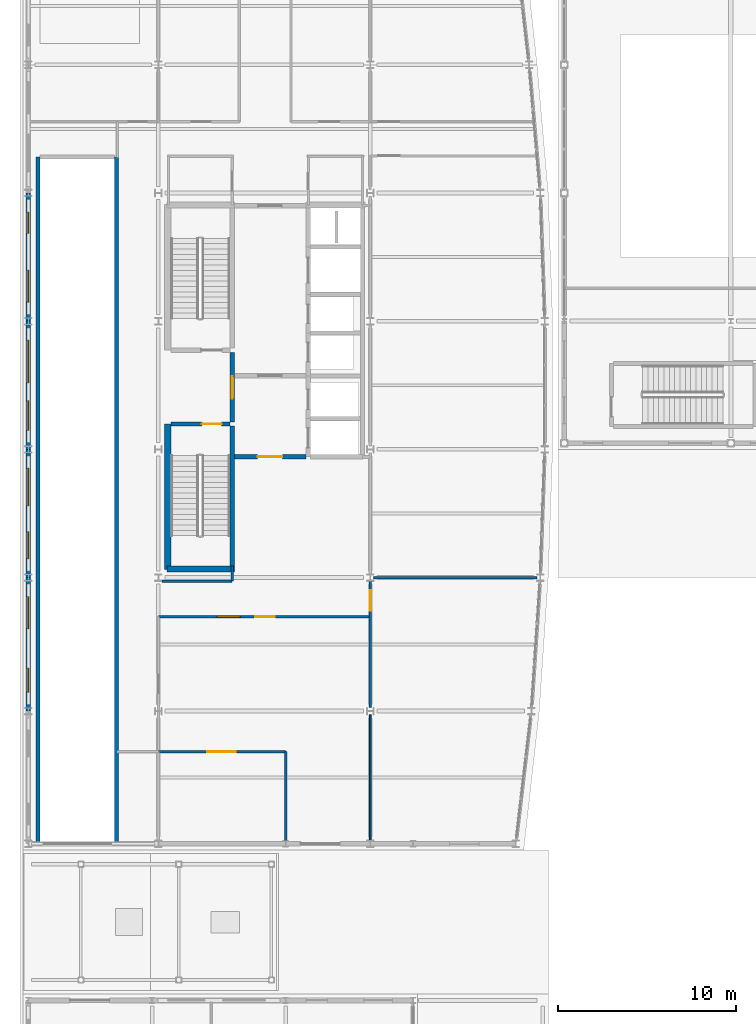
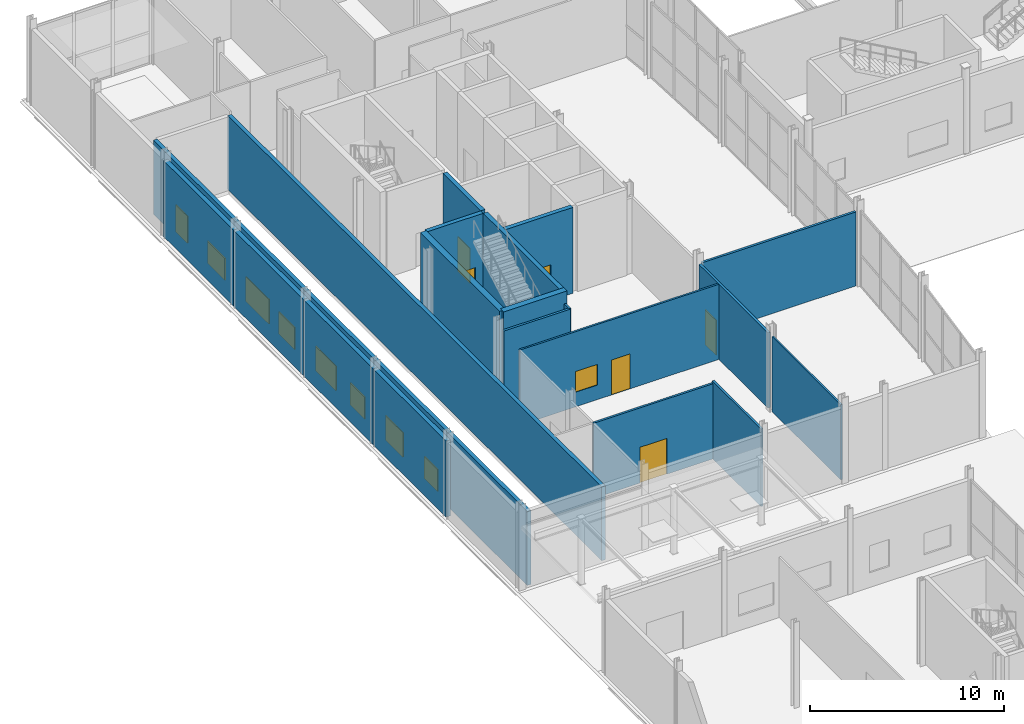
# One storey, part 65 of 83: 20 walls, 9 windows, 6 doors, 15 openings.
"""IFC4 building model written with IfcOpenShell, lengths in metres."""

import ifcopenshell
import ifcopenshell.guid

model = None  # the IFC model being written
_history = None  # IfcOwnerHistory: only IFC2X3 demands one
_inside = {}  # id of a spatial element -> (the spatial element, [elements in it])
_under = {}  # id of a project, library or spatial element -> (it, [spatial elements below it])
_declared = {}  # id of a project -> (the project, [libraries it declares])
_typed = {}  # id of a type object -> (the type object, [elements of that type])
_made_of = {}  # id of a material, layer set ... -> (it, [elements and type objects made of it])


def new_model(schema):
    """Start an empty IFC model of exactly this schema.

    Asked for "IFC4X3", IfcOpenShell would pick the latest addendum, in which some entities
    have other attributes; the version numbers below select the first issue.
    IFC2X3 requires an IfcOwnerHistory on every rooted entity: one is made here for all.
    """
    global model, _history
    if schema == "IFC4X3":
        model = ifcopenshell.file(schema_version=(4, 3, 0, 0))
    else:
        model = ifcopenshell.file(schema=schema)
    _inside.clear()
    _under.clear()
    _declared.clear()
    _typed.clear()
    _made_of.clear()
    _history = None
    if model.schema == "IFC2X3":
        org = make("IfcOrganization", Name="unknown")
        user = make(
            "IfcPersonAndOrganization",
            ThePerson=make("IfcPerson", FamilyName="unknown"),
            TheOrganization=org,
        )
        app = make(
            "IfcApplication",
            ApplicationDeveloper=org,
            Version="unknown",
            ApplicationFullName="unknown",
            ApplicationIdentifier="unknown",
        )
        _history = make(
            "IfcOwnerHistory",
            OwningUser=user,
            OwningApplication=app,
            ChangeAction="ADDED",
            CreationDate=0,
        )
    return model


def make(cls, **values):
    """One entity of the class cls with the attributes given. An attribute that is None is left unset."""
    return model.create_entity(
        cls, **{name: value for name, value in values.items() if value is not None}
    )


def rooted(cls, **values):
    """An entity with a GlobalId (a new one), such as an element, a storey or a relation."""
    return make(cls, GlobalId=ifcopenshell.guid.new(), OwnerHistory=_history, **values)


def si_unit(unit_type, name, prefix=None):
    """IfcSIUnit, for example si_unit("LENGTHUNIT", "METRE", prefix="MILLI")."""
    return make("IfcSIUnit", UnitType=unit_type, Prefix=prefix, Name=name)


def assignment(units):
    """IfcUnitAssignment: the units of a project."""
    return None if units is None else make("IfcUnitAssignment", Units=units)


def point(xyz):
    """IfcCartesianPoint."""
    return None if xyz is None else make("IfcCartesianPoint", Coordinates=xyz)


def direction(xyz):
    """IfcDirection."""
    return None if xyz is None else make("IfcDirection", DirectionRatios=xyz)


def frame(location, z_axis=None, x_axis=None):
    """IfcAxis2Placement3D, a coordinate frame: its origin and axes. An axis left out is left unset."""
    return make(
        "IfcAxis2Placement3D",
        Location=point(location),
        Axis=direction(z_axis),
        RefDirection=direction(x_axis),
    )


def frame_2d(location, x_axis=None):
    """IfcAxis2Placement2D, a coordinate frame in the plane: its origin and x axis."""
    return make(
        "IfcAxis2Placement2D", Location=point(location), RefDirection=direction(x_axis)
    )


def origin():
    """The frame at (0, 0, 0) with its axes left unset."""
    return frame((0.0, 0.0, 0.0))


def place(relative_to, where):
    """IfcLocalPlacement: puts the frame where relative to a parent placement (None: the world)."""
    return make(
        "IfcLocalPlacement", PlacementRelTo=relative_to, RelativePlacement=where
    )


def context(
    kind, dimensions, precision=None, world=None, true_north=None, identifier=None
):
    """IfcGeometricRepresentationContext, for example the 3D "Model" context."""
    return make(
        "IfcGeometricRepresentationContext",
        ContextIdentifier=identifier,
        ContextType=kind,
        CoordinateSpaceDimension=dimensions,
        Precision=precision,
        WorldCoordinateSystem=world,
        TrueNorth=true_north,
    )


def subcontext(parent, identifier, kind, view, scale=None):
    """IfcGeometricRepresentationSubContext, for example "Body" below "Model"."""
    return make(
        "IfcGeometricRepresentationSubContext",
        ContextIdentifier=identifier,
        ContextType=kind,
        ParentContext=parent,
        TargetScale=scale,
        TargetView=view,
    )


def project(units=None, contexts=None):
    """IfcProject with its units and contexts."""
    return rooted(
        "IfcProject",
        Name="project",
        RepresentationContexts=contexts,
        UnitsInContext=assignment(units),
    )


def spatial(cls, under=None, at=None, **own):
    """A site, building, storey or space (cls), placed at a placement, below another one or the project."""
    s = rooted(cls, ObjectPlacement=at, **own)
    if under is not None:
        _under.setdefault(under.id(), (under, []))[1].append(s)
    return s


def profile(cls, at=None, kind="AREA", **sizes):
    """A parametric profile (cls). Its sizes go by their IFC names, for example OverallWidth=200.0."""
    return make(cls, ProfileType=kind, Position=at, **sizes)


def rectangle(**sizes):
    """IfcRectangleProfileDef."""
    return profile("IfcRectangleProfileDef", **sizes)


def extrude(swept, where, along, depth):
    """IfcExtrudedAreaSolid: the profile swept, set in the frame where, extruded along a direction by depth."""
    return make(
        "IfcExtrudedAreaSolid",
        SweptArea=swept,
        Position=where,
        ExtrudedDirection=direction(along),
        Depth=depth,
    )


def shape(context_of_items, identifier, shape_type, items):
    """IfcShapeRepresentation: the items that make up one representation, for example the "Body"."""
    return make(
        "IfcShapeRepresentation",
        ContextOfItems=context_of_items,
        RepresentationIdentifier=identifier,
        RepresentationType=shape_type,
        Items=items,
    )


def material(Name=None, Category=None):
    """IfcMaterial."""
    return make("IfcMaterial", Name=Name, Category=Category)


def layer(
    of_material, thickness, ventilated=None, Name=None, Category=None, Priority=None
):
    """IfcMaterialLayer: one layer of a wall or slab, of a material (None: an air gap)."""
    return make(
        "IfcMaterialLayer",
        Material=of_material,
        LayerThickness=thickness,
        IsVentilated=ventilated,
        Name=Name,
        Category=Category,
        Priority=Priority,
    )


def layer_set(layers, Name=None):
    """IfcMaterialLayerSet."""
    return make("IfcMaterialLayerSet", MaterialLayers=layers, LayerSetName=Name)


def made_of(thing, what):
    """Note that an element or type object is made of a material, layer set ...; save() writes the relation."""
    if what is not None:
        _made_of.setdefault(what.id(), (what, []))[1].append(thing)
    return thing


def type_object(cls, material=None, **own):
    """A type object (cls), such as IfcWallType, which elements share."""
    return made_of(rooted(cls, **own), material)


def element(
    cls,
    number,
    at=None,
    inside=None,
    cuts=None,
    type_object=None,
    material=None,
    context=None,
    identifier="Body",
    shape_type=None,
    held_by="IfcProductDefinitionShape",
    body=None,
    shapes=None,
    **own,
):
    """One element of the class cls, such as IfcWall. Its Tag is "e" and its number.

    at: its placement. inside: the storey or other place that contains it. cuts: it is an
    opening in that element (IfcRelVoidsElement). A single representation is given by context,
    identifier, shape_type and body (its items); several are given by shapes. held_by: the class
    of the entity that holds the representations. save() writes the other relations.
    """
    e = rooted(cls, Tag="e%d" % number, ObjectPlacement=at, **own)
    if body is not None:
        shapes = [shape(context, identifier, shape_type, body)]
    if shapes is not None:
        e.Representation = make(held_by, Representations=shapes)
    if inside is not None:
        _inside.setdefault(inside.id(), (inside, []))[1].append(e)
    if cuts is not None:
        rooted(
            "IfcRelVoidsElement", RelatingBuildingElement=cuts, RelatedOpeningElement=e
        )
    if type_object is not None:
        _typed.setdefault(type_object.id(), (type_object, []))[1].append(e)
    return made_of(e, material)


def fill(opening, filler):
    """IfcRelFillsElement: the door or window that sits in an opening."""
    return rooted(
        "IfcRelFillsElement",
        RelatingOpeningElement=opening,
        RelatedBuildingElement=filler,
    )


def aggregate(whole, parts):
    """IfcRelAggregates: a whole, such as a stair, and the parts it consists of."""
    return rooted("IfcRelAggregates", RelatingObject=whole, RelatedObjects=parts)


def save(model, path):
    """Write the relations noted so far, then the file.

    IfcRelAggregates (storeys below a building ...), IfcRelContainedInSpatialStructure (elements
    in a storey), IfcRelDefinesByType, IfcRelAssociatesMaterial and IfcRelDeclares: one each for
    every whole, place, type object, material and project.
    """
    for whole, parts in _under.values():
        aggregate(whole, parts)
    for where, things in _inside.values():
        rooted(
            "IfcRelContainedInSpatialStructure",
            RelatedElements=things,
            RelatingStructure=where,
        )
    for kind, things in _typed.values():
        rooted("IfcRelDefinesByType", RelatedObjects=things, RelatingType=kind)
    for what, things in _made_of.values():
        rooted("IfcRelAssociatesMaterial", RelatedObjects=things, RelatingMaterial=what)
    for by, libraries in _declared.values():
        rooted("IfcRelDeclares", RelatingContext=by, RelatedDefinitions=libraries)
    model.write(path)


model = new_model("IFC4")

# Units and contexts
model_context = context("Model", 3, precision=1e-05, world=origin(), true_north=direction((0.0, 1.0)))
body_context = subcontext(model_context, "Body", "Model", "MODEL_VIEW")
ifc_project = project(units=[si_unit("LENGTHUNIT", "METRE"), si_unit("AREAUNIT", "SQUARE_METRE"), si_unit("VOLUMEUNIT", "CUBIC_METRE"), si_unit("PLANEANGLEUNIT", "RADIAN"), si_unit("MASSUNIT", "GRAM", prefix="KILO")], contexts=[model_context])

# Site, building, storey
site_placement = place(None, origin())
site = spatial("IfcSite", under=ifc_project, at=site_placement, CompositionType="ELEMENT")
building_placement = place(site_placement, origin())
building = spatial("IfcBuilding", under=site, at=building_placement, Name="Quillay Park Conservatory", CompositionType="ELEMENT")
storey_placement = place(building_placement, origin())
storey = spatial("IfcBuildingStorey", under=building, at=storey_placement, Name="L00", CompositionType="ELEMENT", Elevation=0.0)

# Wall
ifc_material_1 = material(Name="Steel-Stud Acoustic Gypsum Board Partition", Category="steel")
ifc_layer_1 = layer(ifc_material_1, 0.10009765625)
ifc_layer_set_1 = layer_set([ifc_layer_1], Name="ACOUSTIC GYPSUM PARTITION 100 (Steel-Stud Acoustic Gypsum Board Partition)")
wall_type_1 = type_object("IfcWallType", Name="ACOUSTIC GYPSUM PARTITION 100", PredefinedType="PARTITIONING", material=ifc_layer_set_1)
wall_1_placement = place(storey_placement, frame((19.75, 63.241455078125, 0.0), z_axis=(0.0, 0.0, 1.0), x_axis=(0.0, 1.0, 0.0)))
element("IfcWall", 1, at=wall_1_placement, inside=storey, type_object=wall_type_1, Name="L00 SE Lab West Wall S", PredefinedType="PARTITIONING", context=body_context, shape_type="SweptSolid", body=[
    extrude(rectangle(XDim=7.06396484375, YDim=0.10009765625, at=frame_2d((3.531982421875, 0.0))), origin(), (0.0, 0.0, 1.0), 4.72705078125),
])

# Wall, openings, window, door
ifc_material_2 = material(Name="Steel-Stud Acoustic Gypsum Board Partition", Category="steel")
ifc_layer_2 = layer(ifc_material_2, 0.114990234375)
ifc_layer_set_2 = layer_set([ifc_layer_2], Name="ACOUSTIC GYPSUM PARTITION 115 (Steel-Stud Acoustic Gypsum Board Partition)")
wall_type_2 = type_object("IfcWallType", Name="ACOUSTIC GYPSUM PARTITION 115", PredefinedType="PARTITIONING", material=ifc_layer_set_2)
wall_2_placement = place(storey_placement, frame((19.75, 75.800048828125, 0.0), z_axis=(0.0, 0.0, 1.0), x_axis=(-1.0, 0.0, 0.0)))
wall_2 = element("IfcWall", 2, at=wall_2_placement, inside=storey, type_object=wall_type_2, Name="L00 Reception North Door Wall", PredefinedType="PARTITIONING", context=body_context, shape_type="SweptSolid", body=[
    extrude(rectangle(XDim=11.89990234375, YDim=0.114990234375, at=frame_2d((5.949951171875, 0.0))), origin(), (0.0, 0.0, 1.0), 4.72705078125),
])
opening_1_placement = place(wall_2_placement, frame((5.35009765625, 0.0, 0.0)))
opening_1 = element("IfcOpeningElement", 3, at=opening_1_placement, cuts=wall_2, Name="Opening D-RM16", PredefinedType="OPENING", context=body_context, shape_type="SweptSolid", body=[
    extrude(rectangle(XDim=1.10009765625, YDim=2.199951171875, at=frame_2d((0.550048828125, 1.10009765625))), frame((0.0, 0.0576171875, 0.0), z_axis=(0.0, -1.0, 0.0), x_axis=(1.0, 0.0, 0.0)), (0.0, 0.0, 1.0), 0.114990234375),
])
opening_2_placement = place(wall_2_placement, frame((7.300048828125, 0.0, 0.919921875)))
opening_2 = element("IfcOpeningElement", 4, at=opening_2_placement, cuts=wall_2, Name="Opening W-IN11", PredefinedType="OPENING", context=body_context, shape_type="SweptSolid", body=[
    extrude(rectangle(XDim=1.300048828125, YDim=1.300048828125, at=frame_2d((0.64990234375, 0.64990234375))), frame((0.0, 0.0576171875, 0.0), z_axis=(0.0, -1.0, 0.0), x_axis=(1.0, 0.0, 0.0)), (0.0, 0.0, 1.0), 0.114990234375),
])
ifc_material_3 = material(Name="Low-E Double Glazing (Laminated Tempered)", Category="glass")
window_type_1 = type_object("IfcWindowType", Name="OPERABLE VENT WINDOW 1300 X1300", PartitioningType="SINGLE_PANEL", PredefinedType="WINDOW", material=ifc_material_3)
window_1_placement = place(opening_2_placement, origin())
window_1 = element("IfcWindow", 5, at=window_1_placement, inside=storey, type_object=window_type_1, Name="L00 Laboratory Vision Panel 011", OverallHeight=1.300048828125, OverallWidth=1.300048828125, PartitioningType="SINGLE_PANEL", PredefinedType="WINDOW", context=body_context, shape_type="SweptSolid", body=[
    extrude(rectangle(XDim=1.300048828125, YDim=1.300048828125, at=frame_2d((0.64990234375, 0.64990234375))), frame((0.0, 0.030029296875, 0.0), z_axis=(0.0, -1.0, 0.0), x_axis=(1.0, 0.0, 0.0)), (0.0, 0.0, 1.0), 0.06005859375),
])
fill(opening_2, window_1)
ifc_material_4 = material(Name="Thermally Broken Anodised Aluminium 6063-T6", Category="aluminium")
door_type_1 = type_object("IfcDoorType", Name="SINGLE SWING DOOR 1100 X2200", OperationType="NOTDEFINED", PredefinedType="DOOR", material=ifc_material_4)
door_1_placement = place(opening_1_placement, origin())
door_1 = element("IfcDoor", 6, at=door_1_placement, inside=storey, type_object=door_type_1, Name="L00 Door to Research Tower Entrance Hall North", OperationType="SINGLE_SWING_RIGHT", OverallHeight=2.199951171875, OverallWidth=1.10009765625, PredefinedType="DOOR", context=body_context, shape_type="SweptSolid", body=[
    extrude(rectangle(XDim=1.10009765625, YDim=2.199951171875, at=frame_2d((0.550048828125, 1.10009765625))), frame((0.0, 0.02490234375, 0.0), z_axis=(0.0, -1.0, 0.0), x_axis=(1.0, 0.0, 0.0)), (0.0, 0.0, 1.0), 0.050048828125),
])
fill(opening_1, door_1)

# Wall, opening, door
ifc_material_5 = material(Name="Steel-Stud Acoustic Gypsum Board Partition", Category="steel")
ifc_layer_3 = layer(ifc_material_5, 0.125)
ifc_layer_set_3 = layer_set([ifc_layer_3], Name="ACOUSTIC GYPSUM PARTITION 125 (Steel-Stud Acoustic Gypsum Board Partition)")
wall_type_3 = type_object("IfcWallType", Name="ACOUSTIC GYPSUM PARTITION 125", PredefinedType="PARTITIONING", material=ifc_layer_set_3)
wall_3_placement = place(storey_placement, frame((7.85009765625, 68.219970703125, 0.0), z_axis=(0.0, 0.0, 1.0), x_axis=(1.0, 0.0, 0.0)))
wall_3 = element("IfcWall", 7, at=wall_3_placement, inside=storey, type_object=wall_type_3, Name="L00 Fire Command Centre North Door Wall", PredefinedType="PARTITIONING", context=body_context, shape_type="SweptSolid", body=[
    extrude(rectangle(XDim=7.14990234375, YDim=0.125, at=frame_2d((3.574951171875, 0.0))), origin(), (0.0, 0.0, 1.0), 4.72705078125),
])
opening_3_placement = place(wall_3_placement, frame((2.75, 0.0, 0.0)))
opening_3 = element("IfcOpeningElement", 8, at=opening_3_placement, cuts=wall_3, Name="Opening D-PL02", PredefinedType="OPENING", context=body_context, shape_type="SweptSolid", body=[
    extrude(rectangle(XDim=1.60009765625, YDim=2.25, at=frame_2d((0.800048828125, 1.125))), frame((0.0, 0.0625, 0.0), z_axis=(0.0, -1.0, 0.0), x_axis=(1.0, 0.0, 0.0)), (0.0, 0.0, 1.0), 0.125),
])
ifc_material_6 = material(Name="Steel ASTM A572 Grade 50", Category="steel")
door_type_2 = type_object("IfcDoorType", Name="FIRE RATED PLANT DOOR 1600 X2250", OperationType="NOTDEFINED", PredefinedType="DOOR", material=ifc_material_6)
door_2_placement = place(opening_3_placement, origin())
door_2 = element("IfcDoor", 9, at=door_2_placement, inside=storey, type_object=door_type_2, Name="L00 Door to L00 Fire Command and Control Room", OperationType="SINGLE_SWING_RIGHT", OverallHeight=2.25, OverallWidth=1.60009765625, PredefinedType="DOOR", context=body_context, shape_type="SweptSolid", body=[
    extrude(rectangle(XDim=1.60009765625, YDim=2.25, at=frame_2d((0.800048828125, 1.125))), frame((0.0, 0.02490234375, 0.0), z_axis=(0.0, -1.0, 0.0), x_axis=(1.0, 0.0, 0.0)), (0.0, 0.0, 1.0), 0.050048828125),
])
fill(opening_3, door_2)

# Walls
ifc_material_7 = material(Name="Steel-Stud Acoustic Gypsum Board Partition", Category="steel")
ifc_layer_4 = layer(ifc_material_7, 0.1298828125)
ifc_layer_set_4 = layer_set([ifc_layer_4], Name="ACOUSTIC GYPSUM PARTITION 130 (Steel-Stud Acoustic Gypsum Board Partition)")
wall_type_4 = type_object("IfcWallType", Name="ACOUSTIC GYPSUM PARTITION 130", PredefinedType="PARTITIONING", material=ifc_layer_set_4)
wall_4_placement = place(storey_placement, frame((12.0, 77.800048828125, 0.0), z_axis=(0.0, 0.0, 1.0), x_axis=(0.0, 1.0, 0.0)))
element("IfcWall", 10, at=wall_4_placement, inside=storey, type_object=wall_type_4, Name="L00 Core South Vestibule West Wall", PredefinedType="PARTITIONING", context=body_context, shape_type="SweptSolid", body=[
    extrude(rectangle(XDim=0.849853515625, YDim=0.1298828125, at=frame_2d((0.4248046875, 0.0))), origin(), (0.0, 0.0, 1.0), 4.65087890625),
])
wall_5_placement = place(storey_placement, frame((15.0, 63.20654296875, 0.0), z_axis=(0.0, 0.0, 1.0), x_axis=(0.0, 1.0, 0.0)))
element("IfcWall", 11, at=wall_5_placement, inside=storey, type_object=wall_type_4, Name="L00 Fire Command Centre East Wall", PredefinedType="PARTITIONING", context=body_context, shape_type="SweptSolid", body=[
    extrude(rectangle(XDim=5.013427734375, YDim=0.1298828125, at=frame_2d((2.5068359375, 0.0))), origin(), (0.0, 0.0, 1.0), 4.876953125),
])
ifc_material_8 = material(Name="Steel-Stud Acoustic Gypsum Board Partition", Category="steel")
ifc_layer_5 = layer(ifc_material_8, 0.139892578125)
ifc_layer_set_5 = layer_set([ifc_layer_5], Name="ACOUSTIC GYPSUM PARTITION 140 (Steel-Stud Acoustic Gypsum Board Partition)")
wall_type_5 = type_object("IfcWallType", Name="ACOUSTIC GYPSUM PARTITION 140", PredefinedType="PARTITIONING", material=ifc_layer_set_5)
wall_6_placement = place(storey_placement, frame((8.04443359375, 77.800048828125, 0.0), z_axis=(0.0, 0.0, 1.0), x_axis=(1.0, 0.0, 0.0)))
element("IfcWall", 12, at=wall_6_placement, inside=storey, type_object=wall_type_5, Name="L00 Core South-West Return", PredefinedType="PARTITIONING", context=body_context, shape_type="SweptSolid", body=[
    extrude(rectangle(XDim=3.95556640625, YDim=0.139892578125, at=frame_2d((1.977783203125, 0.0))), origin(), (0.0, 0.0, 1.0), 4.65087890625),
])
wall_7_placement = place(storey_placement, frame((19.944580078125, 78.0, 0.0), z_axis=(0.0, 0.0, 1.0), x_axis=(1.0, 0.0, 0.0)))
element("IfcWall", 13, at=wall_7_placement, inside=storey, type_object=wall_type_5, Name="L00 SE-East Lab Divider", PredefinedType="PARTITIONING", context=body_context, shape_type="SweptSolid", body=[
    extrude(rectangle(XDim=9.160888671875, YDim=0.139892578125, at=frame_2d((4.58056640625, 0.0))), origin(), (0.0, 0.0, 1.0), 4.65087890625),
])

# Wall, opening, door
ifc_material_9 = material(Name="Steel-Stud Acoustic Gypsum Board Partition", Category="steel")
ifc_layer_6 = layer(ifc_material_9, 0.14990234375)
ifc_layer_set_6 = layer_set([ifc_layer_6], Name="ACOUSTIC GYPSUM PARTITION 150 (Steel-Stud Acoustic Gypsum Board Partition)")
wall_type_6 = type_object("IfcWallType", Name="ACOUSTIC GYPSUM PARTITION 150", PredefinedType="PARTITIONING", material=ifc_layer_set_6)
wall_8_placement = place(storey_placement, frame((19.75, 70.694580078125, 0.0), z_axis=(0.0, 0.0, 1.0), x_axis=(0.0, 1.0, 0.0)))
wall_8 = element("IfcWall", 14, at=wall_8_placement, inside=storey, type_object=wall_type_6, Name="L00 SE Lab West Door Wall", PredefinedType="PARTITIONING", context=body_context, shape_type="SweptSolid", body=[
    extrude(rectangle(XDim=7.114013671875, YDim=0.14990234375, at=frame_2d((3.55712890625, 0.0))), origin(), (0.0, 0.0, 1.0), 4.72705078125),
])
opening_4_placement = place(wall_8_placement, frame((5.430419921875, 0.0, 0.0)))
opening_4 = element("IfcOpeningElement", 15, at=opening_4_placement, cuts=wall_8, Name="Opening D-RM17", PredefinedType="OPENING", context=body_context, shape_type="SweptSolid", body=[
    extrude(rectangle(XDim=1.14990234375, YDim=2.199951171875, at=frame_2d((0.574951171875, 1.10009765625))), frame((0.0, 0.074951171875, 0.0), z_axis=(0.0, -1.0, 0.0), x_axis=(1.0, 0.0, 0.0)), (0.0, 0.0, 1.0), 0.14990234375),
])
ifc_material_10 = material(Name="Thermally Broken Anodised Aluminium 6063-T6", Category="aluminium")
door_type_3 = type_object("IfcDoorType", Name="SINGLE SWING DOOR 1150 X2200", OperationType="NOTDEFINED", PredefinedType="DOOR", material=ifc_material_10)
door_3_placement = place(opening_4_placement, origin())
door_3 = element("IfcDoor", 16, at=door_3_placement, inside=storey, type_object=door_type_3, Name="L00 Door to L00 Seed Triage and Barcoding Studio", OperationType="SINGLE_SWING_LEFT", OverallHeight=2.199951171875, OverallWidth=1.14990234375, PredefinedType="DOOR", context=body_context, shape_type="SweptSolid", body=[
    extrude(rectangle(XDim=1.14990234375, YDim=2.199951171875, at=frame_2d((0.574951171875, 1.10009765625))), frame((0.0, 0.02490234375, 0.0), z_axis=(0.0, -1.0, 0.0), x_axis=(1.0, 0.0, 0.0)), (0.0, 0.0, 1.0), 0.050048828125),
])
fill(opening_4, door_3)

# Walls
ifc_material_11 = material(Name="Concrete C35/45 (NCh170 Concrete C35/45)", Category="concrete")
ifc_layer_7 = layer(ifc_material_11, 0.22509765625)
ifc_layer_set_7 = layer_set([ifc_layer_7], Name="CORE SHEAR WALL 225 (Concrete C35/45 (NCh170 Concrete C35/45))")
wall_type_7 = type_object("IfcWallType", Name="CORE SHEAR WALL 225", PredefinedType="SHEAR", material=ifc_layer_set_7)
for number, where, z_axis, x_axis, name in (
    (17, (1.08740234375, 63.10009765625, 0.0), (0.0, 0.0, 1.0), (0.0, 1.0, 0.0), "L00 Core Shear Wall WL-RMP1-W"),
    (18, (5.512451171875, 63.10009765625, 0.0), (0.0, 0.0, 1.0), (0.0, 1.0, 0.0), "L00 Core Shear Wall WL-RMP1-E"),
):
    element("IfcWall", number, at=place(storey_placement, frame(where, z_axis=z_axis, x_axis=x_axis)), inside=storey, type_object=wall_type_7, Name=name, PredefinedType="SHEAR", context=body_context, shape_type="SweptSolid", body=[
        extrude(rectangle(XDim=38.512451171875, YDim=0.22509765625, at=frame_2d((19.25634765625, 0.0))), origin(), (0.0, 0.0, 1.0), 4.64990234375),
    ])
ifc_material_12 = material(Name="Concrete C40/50 (NCh170 Concrete C40/50)", Category="concrete")
ifc_layer_8 = layer(ifc_material_12, 0.25)
ifc_layer_set_8 = layer_set([ifc_layer_8], Name="CORE SHEAR WALL 250 (Concrete C40/50 (NCh170 Concrete C40/50))")
wall_type_8 = type_object("IfcWallType", Name="CORE SHEAR WALL 250", PredefinedType="SHEAR", material=ifc_layer_set_8)
wall_9_placement = place(storey_placement, frame((11.9951171875, 78.64990234375, 0.0), z_axis=(0.0, 0.0, 1.0), x_axis=(0.0, 1.0, 0.0)))
element("IfcWall", 19, at=wall_9_placement, inside=storey, type_object=wall_type_8, Name="L00 Core Shear Wall WL-T2E-L00", PredefinedType="SHEAR", context=body_context, shape_type="SweptSolid", body=[
    extrude(rectangle(XDim=7.85009765625, YDim=0.25, at=frame_2d((3.925048828125, 0.0))), origin(), (0.0, 0.0, 1.0), 5.39990234375),
])

# Wall, opening, door
wall_10_placement = place(storey_placement, frame((11.9951171875, 86.75, 0.0), z_axis=(0.0, 0.0, 1.0), x_axis=(0.0, 1.0, 0.0)))
wall_10 = element("IfcWall", 20, at=wall_10_placement, inside=storey, type_object=wall_type_8, Name="L00 Core Shear Wall WL-FFW-L00", PredefinedType="SHEAR", context=body_context, shape_type="SweptSolid", body=[
    extrude(rectangle(XDim=3.89990234375, YDim=0.25, at=frame_2d((1.949951171875, 0.0))), origin(), (0.0, 0.0, 1.0), 5.39990234375),
])
opening_5_placement = place(wall_10_placement, frame((1.300048828125, 0.0, 0.0)))
opening_5 = element("IfcOpeningElement", 21, at=opening_5_placement, cuts=wall_10, Name="Opening D-LB01", PredefinedType="OPENING", context=body_context, shape_type="SweptSolid", body=[
    extrude(rectangle(XDim=1.25, YDim=2.199951171875, at=frame_2d((0.625, 1.10009765625))), frame((0.0, 0.125, 0.0), z_axis=(0.0, -1.0, 0.0), x_axis=(1.0, 0.0, 0.0)), (0.0, 0.0, 1.0), 0.25),
])
ifc_material_13 = material(Name="Steel ASTM A572 Grade 50", Category="steel")
door_type_4 = type_object("IfcDoorType", Name="FIRE RATED LOBBY DOOR 1250 X2200", OperationType="NOTDEFINED", PredefinedType="DOOR", material=ifc_material_13)
door_4_placement = place(opening_5_placement, origin())
door_4 = element("IfcDoor", 22, at=door_4_placement, inside=storey, type_object=door_type_4, Name="L00 Firefighting Lobby Corridor Door", OperationType="SINGLE_SWING_LEFT", OverallHeight=2.199951171875, OverallWidth=1.25, PredefinedType="DOOR", context=body_context, shape_type="SweptSolid", body=[
    extrude(rectangle(XDim=1.25, YDim=2.199951171875, at=frame_2d((0.625, 1.10009765625))), frame((0.0, 0.02490234375, 0.0), z_axis=(0.0, -1.0, 0.0), x_axis=(1.0, 0.0, 0.0)), (0.0, 0.0, 1.0), 0.050048828125),
])
fill(opening_5, door_4)

wall_11_placement = place(storey_placement, frame((8.550048828125, 86.625, 0.0), z_axis=(0.0, 0.0, 1.0), x_axis=(1.0, 0.0, 0.0)))
wall_11 = element("IfcWall", 23, at=wall_11_placement, inside=storey, type_object=wall_type_8, Name="L00 Core Shear Wall WL-ST2D-L00", PredefinedType="SHEAR", context=body_context, shape_type="SweptSolid", body=[
    extrude(rectangle(XDim=3.320068359375, YDim=0.25, at=frame_2d((1.66015625, 0.0))), origin(), (0.0, 0.0, 1.0), 5.39990234375),
])
opening_6_placement = place(wall_11_placement, frame((1.75, 0.0, 0.0)))
opening_6 = element("IfcOpeningElement", 24, at=opening_6_placement, cuts=wall_11, Name="Opening D-ST01", PredefinedType="OPENING", context=body_context, shape_type="SweptSolid", body=[
    extrude(rectangle(XDim=1.10009765625, YDim=2.14990234375, at=frame_2d((0.550048828125, 1.074951171875))), frame((0.0, 0.125, 0.0), z_axis=(0.0, -1.0, 0.0), x_axis=(1.0, 0.0, 0.0)), (0.0, 0.0, 1.0), 0.25),
])
ifc_material_14 = material(Name="Steel ASTM A572 Grade 50", Category="steel")
door_type_5 = type_object("IfcDoorType", Name="FIRE RATED STAIR DOOR 1100 X2150", OperationType="NOTDEFINED", PredefinedType="DOOR", material=ifc_material_14)
door_5_placement = place(opening_6_placement, origin())
door_5 = element("IfcDoor", 25, at=door_5_placement, inside=storey, type_object=door_type_5, Name="L00 Protected Stair ST-T2 Door", OperationType="SINGLE_SWING_LEFT", OverallHeight=2.14990234375, OverallWidth=1.10009765625, PredefinedType="DOOR", context=body_context, shape_type="SweptSolid", body=[
    extrude(rectangle(XDim=1.10009765625, YDim=2.14990234375, at=frame_2d((0.550048828125, 1.074951171875))), frame((0.0, 0.02490234375, 0.0), z_axis=(0.0, -1.0, 0.0), x_axis=(1.0, 0.0, 0.0)), (0.0, 0.0, 1.0), 0.050048828125),
])
fill(opening_6, door_5)

wall_12_placement = place(storey_placement, frame((12.1201171875, 84.77490234375, 0.0), z_axis=(0.0, 0.0, 1.0), x_axis=(1.0, 0.0, 0.0)))
wall_12 = element("IfcWall", 26, at=wall_12_placement, inside=storey, type_object=wall_type_8, Name="L00 Core Shear Wall WL-FFS-L00", PredefinedType="SHEAR", context=body_context, shape_type="SweptSolid", body=[
    extrude(rectangle(XDim=4.02978515625, YDim=0.25, at=frame_2d((2.014892578125, 0.0))), origin(), (0.0, 0.0, 1.0), 5.39990234375),
])
opening_7_placement = place(wall_12_placement, frame((1.300048828125, 0.0, 0.0)))
opening_7 = element("IfcOpeningElement", 27, at=opening_7_placement, cuts=wall_12, Name="Opening D-LB03", PredefinedType="OPENING", context=body_context, shape_type="SweptSolid", body=[
    extrude(rectangle(XDim=1.39990234375, YDim=2.25, at=frame_2d((0.699951171875, 1.125))), frame((0.0, 0.125, 0.0), z_axis=(0.0, -1.0, 0.0), x_axis=(1.0, 0.0, 0.0)), (0.0, 0.0, 1.0), 0.25),
])
ifc_material_15 = material(Name="Steel ASTM A572 Grade 50", Category="steel")
door_type_6 = type_object("IfcDoorType", Name="FIRE RATED LOBBY DOOR 1400 X2250", OperationType="NOTDEFINED", PredefinedType="DOOR", material=ifc_material_15)
door_6_placement = place(opening_7_placement, origin())
door_6 = element("IfcDoor", 28, at=door_6_placement, inside=storey, type_object=door_type_6, Name="L00 South Core Lobby Door", OperationType="SINGLE_SWING_RIGHT", OverallHeight=2.25, OverallWidth=1.39990234375, PredefinedType="DOOR", context=body_context, shape_type="SweptSolid", body=[
    extrude(rectangle(XDim=1.39990234375, YDim=2.25, at=frame_2d((0.699951171875, 1.125))), frame((0.0, 0.02490234375, 0.0), z_axis=(0.0, -1.0, 0.0), x_axis=(1.0, 0.0, 0.0)), (0.0, 0.0, 1.0), 0.050048828125),
])
fill(opening_7, door_6)

# Walls
ifc_material_16 = material(Name="Concrete C40/50 (NCh170 Concrete C40/50)", Category="concrete")
ifc_layer_9 = layer(ifc_material_16, 0.35009765625)
ifc_layer_set_9 = layer_set([ifc_layer_9], Name="CORE SHEAR WALL 350 (Concrete C40/50 (NCh170 Concrete C40/50))")
wall_type_9 = type_object("IfcWallType", Name="CORE SHEAR WALL 350", PredefinedType="SHEAR", material=ifc_layer_set_9)
wall_13_placement = place(storey_placement, frame((8.375, 78.449951171875, 0.0), z_axis=(0.0, 0.0, 1.0), x_axis=(0.0, 1.0, 0.0)))
element("IfcWall", 29, at=wall_13_placement, inside=storey, type_object=wall_type_9, Name="L00 Core Shear Wall WL-TCW-S-L00", PredefinedType="SHEAR", context=body_context, shape_type="SweptSolid", body=[
    extrude(rectangle(XDim=8.175048828125, YDim=0.35009765625, at=frame_2d((4.08740234375, 0.0))), origin(), (0.0, 0.0, 1.0), 5.39990234375),
])
wall_14_placement = place(storey_placement, frame((8.35009765625, 78.47509765625, 0.0), z_axis=(0.0, 0.0, 1.0), x_axis=(1.0, 0.0, 0.0)))
element("IfcWall", 30, at=wall_14_placement, inside=storey, type_object=wall_type_9, Name="L00 Core Shear Wall WL-TCS-L00", PredefinedType="SHEAR", context=body_context, shape_type="SweptSolid", body=[
    extrude(rectangle(XDim=3.77001953125, YDim=0.35009765625, at=frame_2d((1.885009765625, 0.0))), origin(), (0.0, 0.0, 1.0), 5.39990234375),
])

# Wall, openings, windows
ifc_material_17 = material(Name="Glass-Fibre Reinforced Concrete (GRC) Cladding", Category="concrete")
ifc_layer_10 = layer(ifc_material_17, 0.260009765625)
ifc_layer_set_10 = layer_set([ifc_layer_10], Name="EXTERIOR SOLID WALL 260 (Glass-Fibre Reinforced Concrete (GRC) Cladding)")
wall_type_10 = type_object("IfcWallType", Name="EXTERIOR SOLID WALL 260", PredefinedType="SOLIDWALL", material=ifc_layer_set_10)
wall_15_placement = place(storey_placement, frame((0.550048828125, 70.5, 0.0), z_axis=(0.0, 0.0, 1.0), x_axis=(0.0, 1.0, 0.0)))
wall_15 = element("IfcWall", 31, at=wall_15_placement, inside=storey, type_object=wall_type_10, Name="L00 External Wall WL-EXT-V4W-L00-1", PredefinedType="SOLIDWALL", context=body_context, shape_type="SweptSolid", body=[
    extrude(rectangle(XDim=7.5, YDim=0.260009765625, at=frame_2d((3.75, 0.0))), origin(), (0.0, 0.0, 1.0), 4.777099609375),
])
opening_8_placement = place(wall_15_placement, frame((1.070068359375, 0.0, 0.919921875)))
opening_8 = element("IfcOpeningElement", 32, at=opening_8_placement, cuts=wall_15, Name="Opening W-02", PredefinedType="OPENING", context=body_context, shape_type="SweptSolid", body=[
    extrude(rectangle(XDim=1.35009765625, YDim=1.39990234375, at=frame_2d((0.675048828125, 0.699951171875))), frame((0.0, 0.1298828125, 0.0), z_axis=(0.0, -1.0, 0.0), x_axis=(1.0, 0.0, 0.0)), (0.0, 0.0, 1.0), 0.260009765625),
])
opening_9_placement = place(wall_15_placement, frame((4.6298828125, 0.0, 0.919921875)))
opening_9 = element("IfcOpeningElement", 33, at=opening_9_placement, cuts=wall_15, Name="Opening W-09", PredefinedType="OPENING", context=body_context, shape_type="SweptSolid", body=[
    extrude(rectangle(XDim=1.800048828125, YDim=1.550048828125, at=frame_2d((0.89990234375, 0.77490234375))), frame((0.0, 0.1298828125, 0.0), z_axis=(0.0, -1.0, 0.0), x_axis=(1.0, 0.0, 0.0)), (0.0, 0.0, 1.0), 0.260009765625),
])
ifc_material_18 = material(Name="Low-E Double Glazing (Laminated Tempered)", Category="glass")
window_type_2 = type_object("IfcWindowType", Name="FIXED CASEMENT WINDOW 1350 X1400", PartitioningType="SINGLE_PANEL", PredefinedType="WINDOW", material=ifc_material_18)
window_2_placement = place(opening_8_placement, origin())
window_2 = element("IfcWindow", 34, at=window_2_placement, inside=storey, type_object=window_type_2, Name="L00 Exterior Window 0073", OverallHeight=1.39990234375, OverallWidth=1.35009765625, PartitioningType="SINGLE_PANEL", PredefinedType="WINDOW", context=body_context, shape_type="SweptSolid", body=[
    extrude(rectangle(XDim=1.35009765625, YDim=1.39990234375, at=frame_2d((0.675048828125, 0.699951171875))), frame((0.0, 0.030029296875, 0.0), z_axis=(0.0, -1.0, 0.0), x_axis=(1.0, 0.0, 0.0)), (0.0, 0.0, 1.0), 0.06005859375),
])
fill(opening_8, window_2)
ifc_material_19 = material(Name="Low-E Double Glazing (Laminated Tempered)", Category="glass")
window_type_3 = type_object("IfcWindowType", Name="FIXED CASEMENT WINDOW 1800 X1550", PartitioningType="DOUBLE_PANEL_VERTICAL", PredefinedType="WINDOW", material=ifc_material_19)
window_3_placement = place(opening_9_placement, origin())
window_3 = element("IfcWindow", 35, at=window_3_placement, inside=storey, type_object=window_type_3, Name="L00 Exterior Window 0074", OverallHeight=1.550048828125, OverallWidth=1.800048828125, PartitioningType="DOUBLE_PANEL_VERTICAL", PredefinedType="WINDOW", context=body_context, shape_type="SweptSolid", body=[
    extrude(rectangle(XDim=1.800048828125, YDim=1.550048828125, at=frame_2d((0.89990234375, 0.77490234375))), frame((0.0, 0.030029296875, 0.0), z_axis=(0.0, -1.0, 0.0), x_axis=(1.0, 0.0, 0.0)), (0.0, 0.0, 1.0), 0.06005859375),
])
fill(opening_9, window_3)

wall_16_placement = place(storey_placement, frame((0.550048828125, 78.0, 0.0), z_axis=(0.0, 0.0, 1.0), x_axis=(0.0, 1.0, 0.0)))
wall_16 = element("IfcWall", 36, at=wall_16_placement, inside=storey, type_object=wall_type_10, Name="L00 External Wall WL-EXT-V4W-L00-2", PredefinedType="SOLIDWALL", context=body_context, shape_type="SweptSolid", body=[
    extrude(rectangle(XDim=7.199951171875, YDim=0.260009765625, at=frame_2d((3.60009765625, 0.0))), origin(), (0.0, 0.0, 1.0), 4.777099609375),
])
opening_10_placement = place(wall_16_placement, frame((1.070068359375, 0.0, 0.919921875)))
opening_10 = element("IfcOpeningElement", 37, at=opening_10_placement, cuts=wall_16, Name="Opening W-03", PredefinedType="OPENING", context=body_context, shape_type="SweptSolid", body=[
    extrude(rectangle(XDim=1.5, YDim=1.39990234375, at=frame_2d((0.75, 0.699951171875))), frame((0.0, 0.1298828125, 0.0), z_axis=(0.0, -1.0, 0.0), x_axis=(1.0, 0.0, 0.0)), (0.0, 0.0, 1.0), 0.260009765625),
])
opening_11_placement = place(wall_16_placement, frame((4.030029296875, 0.0, 0.919921875)))
opening_11 = element("IfcOpeningElement", 38, at=opening_11_placement, cuts=wall_16, Name="Opening W-10", PredefinedType="OPENING", context=body_context, shape_type="SweptSolid", body=[
    extrude(rectangle(XDim=2.10009765625, YDim=1.550048828125, at=frame_2d((1.050048828125, 0.77490234375))), frame((0.0, 0.1298828125, 0.0), z_axis=(0.0, -1.0, 0.0), x_axis=(1.0, 0.0, 0.0)), (0.0, 0.0, 1.0), 0.260009765625),
])
ifc_material_20 = material(Name="Low-E Double Glazing (Laminated Tempered)", Category="glass")
window_type_4 = type_object("IfcWindowType", Name="FIXED CASEMENT WINDOW 1500 X1400", PartitioningType="SINGLE_PANEL", PredefinedType="WINDOW", material=ifc_material_20)
window_4_placement = place(opening_10_placement, origin())
window_4 = element("IfcWindow", 39, at=window_4_placement, inside=storey, type_object=window_type_4, Name="L00 Exterior Window 0075", OverallHeight=1.39990234375, OverallWidth=1.5, PartitioningType="SINGLE_PANEL", PredefinedType="WINDOW", context=body_context, shape_type="SweptSolid", body=[
    extrude(rectangle(XDim=1.5, YDim=1.39990234375, at=frame_2d((0.75, 0.699951171875))), frame((0.0, 0.030029296875, 0.0), z_axis=(0.0, -1.0, 0.0), x_axis=(1.0, 0.0, 0.0)), (0.0, 0.0, 1.0), 0.06005859375),
])
fill(opening_10, window_4)
ifc_material_21 = material(Name="Low-E Double Glazing (Laminated Tempered)", Category="glass")
window_type_5 = type_object("IfcWindowType", Name="FIXED CASEMENT WINDOW 2100 X1550", PartitioningType="DOUBLE_PANEL_VERTICAL", PredefinedType="WINDOW", material=ifc_material_21)
window_5_placement = place(opening_11_placement, origin())
window_5 = element("IfcWindow", 40, at=window_5_placement, inside=storey, type_object=window_type_5, Name="L00 Exterior Window 0076", OverallHeight=1.550048828125, OverallWidth=2.10009765625, PartitioningType="DOUBLE_PANEL_VERTICAL", PredefinedType="WINDOW", context=body_context, shape_type="SweptSolid", body=[
    extrude(rectangle(XDim=2.10009765625, YDim=1.550048828125, at=frame_2d((1.050048828125, 0.77490234375))), frame((0.0, 0.030029296875, 0.0), z_axis=(0.0, -1.0, 0.0), x_axis=(1.0, 0.0, 0.0)), (0.0, 0.0, 1.0), 0.06005859375),
])
fill(opening_11, window_5)

wall_17_placement = place(storey_placement, frame((0.550048828125, 85.199951171875, 0.0), z_axis=(0.0, 0.0, 1.0), x_axis=(0.0, 1.0, 0.0)))
wall_17 = element("IfcWall", 41, at=wall_17_placement, inside=storey, type_object=wall_type_10, Name="L00 External Wall WL-EXT-V4W-L00-3", PredefinedType="SOLIDWALL", context=body_context, shape_type="SweptSolid", body=[
    extrude(rectangle(XDim=7.199951171875, YDim=0.260009765625, at=frame_2d((3.60009765625, 0.0))), origin(), (0.0, 0.0, 1.0), 4.777099609375),
])
opening_12_placement = place(wall_17_placement, frame((1.070068359375, 0.0, 0.919921875)))
opening_12 = element("IfcOpeningElement", 42, at=opening_12_placement, cuts=wall_17, Name="Opening W-04", PredefinedType="OPENING", context=body_context, shape_type="SweptSolid", body=[
    extrude(rectangle(XDim=1.64990234375, YDim=1.39990234375, at=frame_2d((0.824951171875, 0.699951171875))), frame((0.0, 0.1298828125, 0.0), z_axis=(0.0, -1.0, 0.0), x_axis=(1.0, 0.0, 0.0)), (0.0, 0.0, 1.0), 0.260009765625),
])
opening_13_placement = place(wall_17_placement, frame((3.72998046875, 0.0, 0.919921875)))
opening_13 = element("IfcOpeningElement", 43, at=opening_13_placement, cuts=wall_17, Name="Opening W-11", PredefinedType="OPENING", context=body_context, shape_type="SweptSolid", body=[
    extrude(rectangle(XDim=2.39990234375, YDim=1.550048828125, at=frame_2d((1.199951171875, 0.77490234375))), frame((0.0, 0.1298828125, 0.0), z_axis=(0.0, -1.0, 0.0), x_axis=(1.0, 0.0, 0.0)), (0.0, 0.0, 1.0), 0.260009765625),
])
ifc_material_22 = material(Name="Low-E Double Glazing (Laminated Tempered)", Category="glass")
window_type_6 = type_object("IfcWindowType", Name="FIXED CASEMENT WINDOW 1650 X1400", PartitioningType="DOUBLE_PANEL_VERTICAL", PredefinedType="WINDOW", material=ifc_material_22)
window_6_placement = place(opening_12_placement, origin())
window_6 = element("IfcWindow", 44, at=window_6_placement, inside=storey, type_object=window_type_6, Name="L00 Exterior Window 0077", OverallHeight=1.39990234375, OverallWidth=1.64990234375, PartitioningType="DOUBLE_PANEL_VERTICAL", PredefinedType="WINDOW", context=body_context, shape_type="SweptSolid", body=[
    extrude(rectangle(XDim=1.64990234375, YDim=1.39990234375, at=frame_2d((0.824951171875, 0.699951171875))), frame((0.0, 0.030029296875, 0.0), z_axis=(0.0, -1.0, 0.0), x_axis=(1.0, 0.0, 0.0)), (0.0, 0.0, 1.0), 0.06005859375),
])
fill(opening_12, window_6)
ifc_material_23 = material(Name="Low-E Double Glazing (Laminated Tempered)", Category="glass")
window_type_7 = type_object("IfcWindowType", Name="FIXED CASEMENT WINDOW 2400 X1550", PartitioningType="DOUBLE_PANEL_VERTICAL", PredefinedType="WINDOW", material=ifc_material_23)
window_7_placement = place(opening_13_placement, origin())
window_7 = element("IfcWindow", 45, at=window_7_placement, inside=storey, type_object=window_type_7, Name="L00 Exterior Window 0078", OverallHeight=1.550048828125, OverallWidth=2.39990234375, PartitioningType="DOUBLE_PANEL_VERTICAL", PredefinedType="WINDOW", context=body_context, shape_type="SweptSolid", body=[
    extrude(rectangle(XDim=2.39990234375, YDim=1.550048828125, at=frame_2d((1.199951171875, 0.77490234375))), frame((0.0, 0.030029296875, 0.0), z_axis=(0.0, -1.0, 0.0), x_axis=(1.0, 0.0, 0.0)), (0.0, 0.0, 1.0), 0.06005859375),
])
fill(opening_13, window_7)

wall_18_placement = place(storey_placement, frame((0.550048828125, 92.39990234375, 0.0), z_axis=(0.0, 0.0, 1.0), x_axis=(0.0, 1.0, 0.0)))
wall_18 = element("IfcWall", 46, at=wall_18_placement, inside=storey, type_object=wall_type_10, Name="L00 External Wall WL-EXT-V4W-L00-4", PredefinedType="SOLIDWALL", context=body_context, shape_type="SweptSolid", body=[
    extrude(rectangle(XDim=7.2001953125, YDim=0.260009765625, at=frame_2d((3.60009765625, 0.0))), origin(), (0.0, 0.0, 1.0), 4.777099609375),
])
opening_14_placement = place(wall_18_placement, frame((1.070068359375, 0.0, 0.919921875)))
opening_14 = element("IfcOpeningElement", 47, at=opening_14_placement, cuts=wall_18, Name="Opening W-05", PredefinedType="OPENING", context=body_context, shape_type="SweptSolid", body=[
    extrude(rectangle(XDim=1.800048828125, YDim=1.39990234375, at=frame_2d((0.89990234375, 0.699951171875))), frame((0.0, 0.1298828125, 0.0), z_axis=(0.0, -1.0, 0.0), x_axis=(1.0, 0.0, 0.0)), (0.0, 0.0, 1.0), 0.260009765625),
])
opening_15_placement = place(wall_18_placement, frame((4.929931640625, 0.0, 0.919921875)))
opening_15 = element("IfcOpeningElement", 48, at=opening_15_placement, cuts=wall_18, Name="Opening W-12", PredefinedType="OPENING", context=body_context, shape_type="SweptSolid", body=[
    extrude(rectangle(XDim=1.199951171875, YDim=1.699951171875, at=frame_2d((0.60009765625, 0.85009765625))), frame((0.0, 0.1298828125, 0.0), z_axis=(0.0, -1.0, 0.0), x_axis=(1.0, 0.0, 0.0)), (0.0, 0.0, 1.0), 0.260009765625),
])
ifc_material_24 = material(Name="Low-E Double Glazing (Laminated Tempered)", Category="glass")
window_type_8 = type_object("IfcWindowType", Name="FIXED CASEMENT WINDOW 1200 X1700", PartitioningType="SINGLE_PANEL", PredefinedType="WINDOW", material=ifc_material_24)
window_8_placement = place(opening_15_placement, origin())
window_8 = element("IfcWindow", 49, at=window_8_placement, inside=storey, type_object=window_type_8, Name="L00 Exterior Window 0080", OverallHeight=1.699951171875, OverallWidth=1.199951171875, PartitioningType="SINGLE_PANEL", PredefinedType="WINDOW", context=body_context, shape_type="SweptSolid", body=[
    extrude(rectangle(XDim=1.199951171875, YDim=1.699951171875, at=frame_2d((0.60009765625, 0.85009765625))), frame((0.0, 0.030029296875, 0.0), z_axis=(0.0, -1.0, 0.0), x_axis=(1.0, 0.0, 0.0)), (0.0, 0.0, 1.0), 0.06005859375),
])
fill(opening_15, window_8)
ifc_material_25 = material(Name="Low-E Double Glazing (Laminated Tempered)", Category="glass")
window_type_9 = type_object("IfcWindowType", Name="FIXED CASEMENT WINDOW 1800 X1400", PartitioningType="DOUBLE_PANEL_VERTICAL", PredefinedType="WINDOW", material=ifc_material_25)
window_9_placement = place(opening_14_placement, origin())
window_9 = element("IfcWindow", 50, at=window_9_placement, inside=storey, type_object=window_type_9, Name="L00 Exterior Window 0079", OverallHeight=1.39990234375, OverallWidth=1.800048828125, PartitioningType="DOUBLE_PANEL_VERTICAL", PredefinedType="WINDOW", context=body_context, shape_type="SweptSolid", body=[
    extrude(rectangle(XDim=1.800048828125, YDim=1.39990234375, at=frame_2d((0.89990234375, 0.699951171875))), frame((0.0, 0.030029296875, 0.0), z_axis=(0.0, -1.0, 0.0), x_axis=(1.0, 0.0, 0.0)), (0.0, 0.0, 1.0), 0.06005859375),
])
fill(opening_14, window_9)

save(model, "model.ifc")
